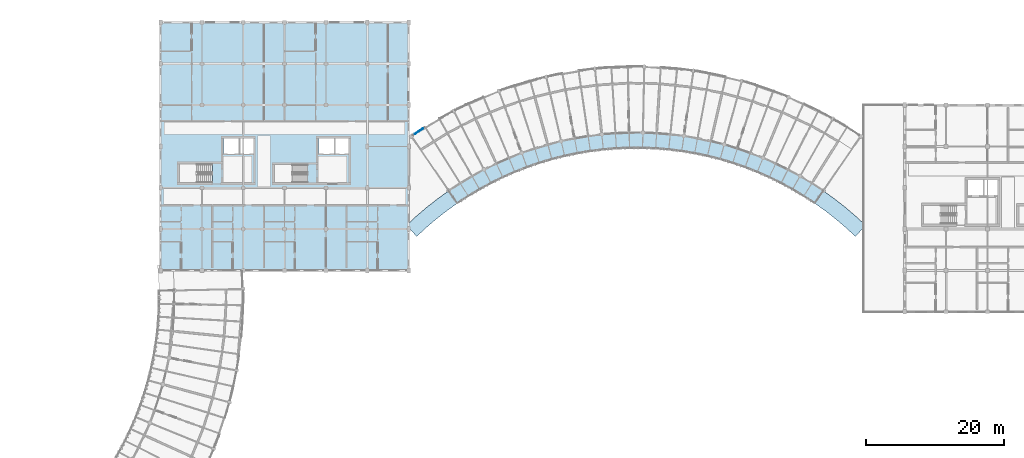
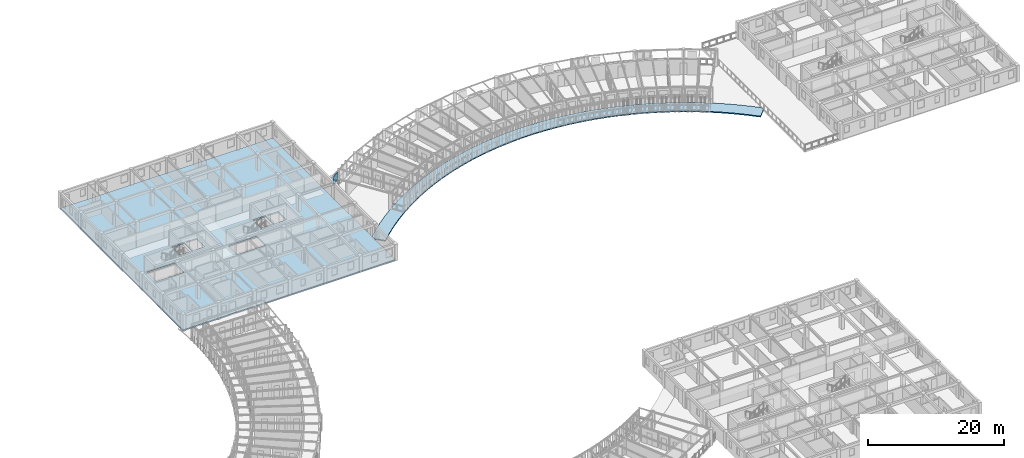
# One storey, part 49 of 101: 2 slabs, 1 plate.
"""IFC4 building model written with IfcOpenShell, lengths in metres."""

from ifc_helpers import new_model, si_unit, direction, frame, origin, origin_2d, place, context, subcontext, project, spatial, polyline, rectangle, outline, extrude, material, layer, layer_set, type_object, element, save


model = new_model("IFC4")

# Units and contexts
model_context = context("Model", 3, precision=1e-05, world=origin(), true_north=direction((0.0, 1.0)))
body_context = subcontext(model_context, "Body", "Model", "MODEL_VIEW")
ifc_project = project(units=[si_unit("LENGTHUNIT", "METRE"), si_unit("AREAUNIT", "SQUARE_METRE"), si_unit("VOLUMEUNIT", "CUBIC_METRE"), si_unit("PLANEANGLEUNIT", "RADIAN"), si_unit("MASSUNIT", "GRAM", prefix="KILO"), si_unit("POWERUNIT", "WATT"), si_unit("THERMODYNAMICTEMPERATUREUNIT", "KELVIN")], contexts=[model_context])

# Site, building, storey
site_placement = place(None, origin())
site = spatial("IfcSite", under=ifc_project, at=site_placement, CompositionType="ELEMENT")
building_placement = place(site_placement, origin())
building = spatial("IfcBuilding", under=site, at=building_placement, Name="Ruvembo Vaulted Housing Court", CompositionType="ELEMENT")
storey_placement = place(building_placement, frame((0.0, 0.0, 17.300048828125)))
storey = spatial("IfcBuildingStorey", under=building, at=storey_placement, Name="L05", CompositionType="ELEMENT", Elevation=17.300048828125)

# Plate
ifc_material_1 = material(Name="Perforated Glazed Ceramic Cobogo Block", Category="ceramic")
ifc_layer_1 = layer(ifc_material_1, 0.1201171875, Name="Perforated Glazed Ceramic Cobogo Block")
ifc_layer_set_1 = layer_set([ifc_layer_1], Name="Perforated Glazed Ceramic Cobogo Block")
plate_type = type_object("IfcPlateType", Name="PL-COBOGO-120", PredefinedType="USERDEFINED", material=ifc_layer_set_1)
plate_placement = place(storey_placement, frame((85.48974609375, 98.202392578125, 1.1201171875), z_axis=(0.0, 0.0, 1.0), x_axis=(0.83583610699, 0.548979054474, 0.0)))
element("IfcPlate", 1, at=plate_placement, inside=storey, type_object=plate_type, Name="Scoop SC3 L05 Ceramic Cobogo Screen #103", ObjectType="COBOGO_PANEL", PredefinedType="USERDEFINED", context=body_context, shape_type="SweptSolid", body=[
    extrude(rectangle(XDim=1.39990234375, YDim=0.1201171875, at=origin_2d()), origin(), (0.0, 0.0, 1.0), 1.360107421875),
])

# Slabs
ifc_material_2 = material(Name="Concrete C35/45", Category="concrete")
ifc_layer_2 = layer(ifc_material_2, 0.18994140625, Name="Concrete C35/45")
ifc_layer_set_2 = layer_set([ifc_layer_2], Name="Concrete C35/45")
slab_type_1 = type_object("IfcSlabType", Name="SL-BAL-190", PredefinedType="FLOOR", material=ifc_layer_set_2)
slab_1_placement = place(storey_placement, frame((0.0, 0.0, -0.18994140625)))
element("IfcSlab", 2, at=slab_1_placement, inside=storey, type_object=slab_type_1, Name="Scoop SC3 L05 Continuous Curved Balcony Slab", PredefinedType="FLOOR", context=body_context, shape_type="SweptSolid", body=[
    extrude(outline(polyline([(150.0, 84.172607421875), (150.0, 84.8466796875), (148.882080078125, 85.88232421875), (147.365478515625, 87.17431640625), (145.796630859375, 88.402587890625), (144.17822265625, 89.564453125), (142.512939453125, 90.658203125), (140.8037109375, 91.681884765625), (139.053466796875, 92.6337890625), (137.26513671875, 93.51220703125), (135.44189453125, 94.31591796875), (133.587158203125, 95.04296875), (131.70361328125, 95.6923828125), (129.794677734375, 96.26318359375), (127.86376953125, 96.75439453125), (125.914306640625, 97.1650390625), (123.94921875, 97.494384765625), (121.972412109375, 97.74169921875), (119.98681640625, 97.906982421875), (117.99609375, 97.98974609375), (116.00390625, 97.98974609375), (114.01318359375, 97.906982421875), (112.027587890625, 97.74169921875), (110.05078125, 97.494384765625), (108.085693359375, 97.1650390625), (106.13623046875, 96.75439453125), (104.205322265625, 96.26318359375), (102.29638671875, 95.6923828125), (100.412841796875, 95.04296875), (98.55810546875, 94.31591796875), (96.73486328125, 93.51220703125), (94.946533203125, 92.6337890625), (93.1962890625, 91.681884765625), (91.487060546875, 90.658203125), (89.82177734375, 89.564453125), (88.203369140625, 88.402587890625), (86.634521484375, 87.17431640625), (85.117919921875, 85.88232421875), (84.0, 84.8466796875), (84.0, 84.172607421875), (85.1845703125, 82.94580078125), (86.579345703125, 84.23779296875), (88.0263671875, 85.470703125), (89.523193359375, 86.642333984375), (91.0673828125, 87.751220703125), (92.656494140625, 88.794677734375), (94.287353515625, 89.771484375), (95.95751953125, 90.6796875), (97.663818359375, 91.51806640625), (99.4033203125, 92.28466796875), (101.173095703125, 92.978515625), (102.970458984375, 93.598388671875), (104.791748046875, 94.142822265625), (106.634033203125, 94.611572265625), (108.494384765625, 95.00341796875), (110.369140625, 95.3173828125), (112.255615234375, 95.5537109375), (114.150146484375, 95.711181640625), (116.049560546875, 95.7900390625), (117.950439453125, 95.7900390625), (119.849853515625, 95.711181640625), (121.744384765625, 95.5537109375), (123.630859375, 95.3173828125), (125.505615234375, 95.00341796875), (127.365966796875, 94.611572265625), (129.208251953125, 94.142822265625), (131.029541015625, 93.598388671875), (132.826904296875, 92.978515625), (134.5966796875, 92.28466796875), (136.336181640625, 91.51806640625), (138.04248046875, 90.6796875), (139.712646484375, 89.771484375), (141.343505859375, 88.794677734375), (142.9326171875, 87.751220703125), (144.476806640625, 86.642333984375), (145.9736328125, 85.470703125), (147.420654296875, 84.23779296875), (148.8154296875, 82.94580078125), (150.0, 84.172607421875)])), origin(), (0.0, 0.0, 1.0), 0.18994140625),
])
ifc_material_3 = material(Name="Concrete C30/37", Category="concrete")
ifc_layer_3 = layer(ifc_material_3, 0.25, Name="Concrete C30/37")
ifc_layer_set_3 = layer_set([ifc_layer_3], Name="Concrete C30/37")
slab_type_2 = type_object("IfcSlabType", Name="SL-FLR-250", PredefinedType="FLOOR", material=ifc_layer_set_3)
slab_2_placement = place(storey_placement, frame((0.0, 0.0, -0.25)))
element("IfcSlab", 3, at=slab_2_placement, inside=storey, type_object=slab_type_2, Name="Block B L05 Structural Floor Slab", PredefinedType="FLOOR", context=body_context, shape_type="SweptSolid", body=[
    extrude(outline(polyline([(84.0, 78.0), (84.0, 114.0), (48.0, 114.0), (48.0, 78.0), (84.0, 78.0)]), holes=[polyline([(55.5, 93.449951171875), (50.75, 93.449951171875), (50.75, 90.75), (55.5, 90.75), (55.5, 93.449951171875)]), polyline([(57.14990234375, 94.85009765625), (59.35009765625, 94.85009765625), (59.35009765625, 97.25), (57.14990234375, 97.25), (57.14990234375, 94.85009765625)]), polyline([(59.60009765625, 94.85009765625), (61.449951171875, 94.85009765625), (61.449951171875, 97.25), (59.60009765625, 97.25), (59.60009765625, 94.85009765625)]), polyline([(69.35009765625, 93.35009765625), (64.550048828125, 93.35009765625), (64.550048828125, 90.75), (69.35009765625, 90.75), (69.35009765625, 93.35009765625)]), polyline([(70.949951171875, 94.85009765625), (73.14990234375, 94.85009765625), (73.14990234375, 97.25), (70.949951171875, 97.25), (70.949951171875, 94.85009765625)]), polyline([(73.39990234375, 94.85009765625), (75.25, 94.85009765625), (75.25, 97.25), (73.39990234375, 97.25), (73.39990234375, 94.85009765625)])]), origin(), (0.0, 0.0, 1.0), 0.25),
])

save(model, "model.ifc")
